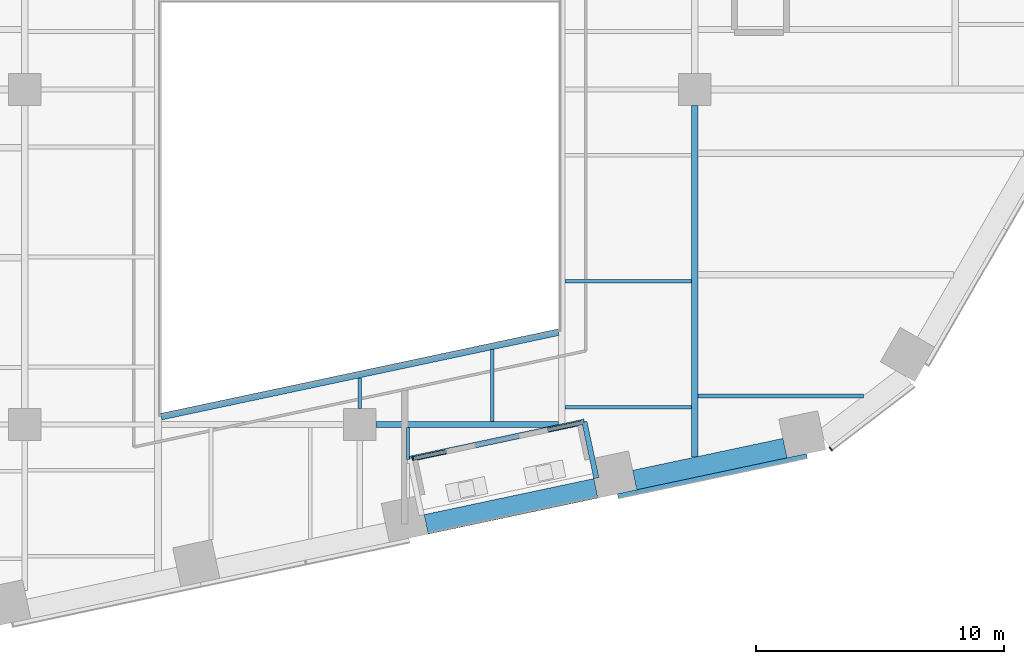
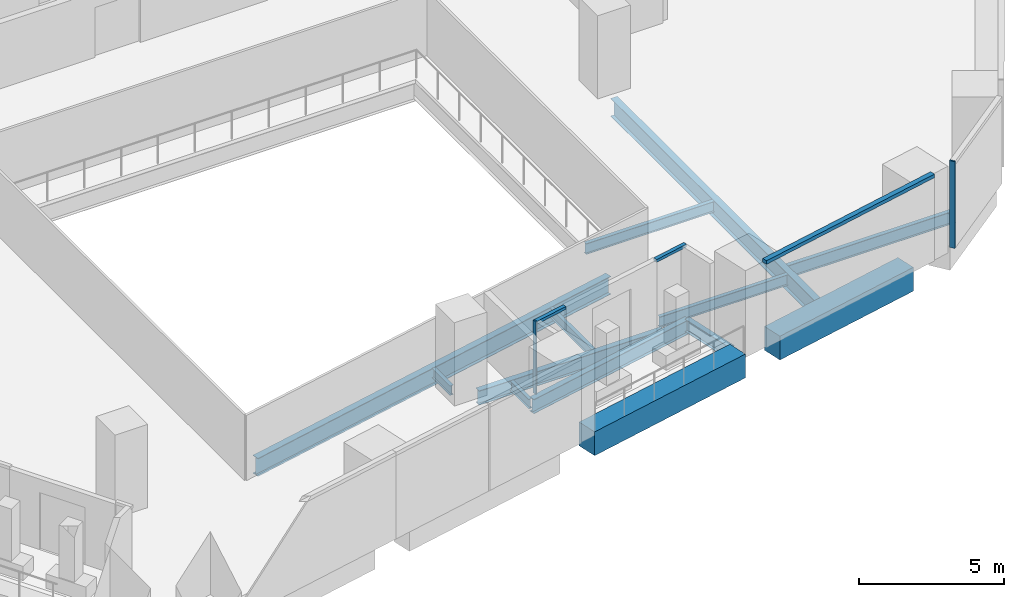
# One storey, part 6 of 28: 13 beams, 5 members, 3 elements without a shape of their own.
"""IFC4 building model written with IfcOpenShell, lengths in metres."""

from ifc_helpers import new_model, si_unit, direction, frame, origin, origin_2d, place, context, subcontext, project, spatial, rectangle, i_section, extrude, material, layer, layer_set, material_profile, profile_set, type_object, element, aggregate, save


model = new_model("IFC4")

# Units and contexts
model_context = context("Model", 3, precision=1e-05, world=origin(), true_north=direction((0.0, 1.0)))
body_context = subcontext(model_context, "Body", "Model", "MODEL_VIEW")
ifc_project = project(units=[si_unit("LENGTHUNIT", "METRE"), si_unit("AREAUNIT", "SQUARE_METRE"), si_unit("VOLUMEUNIT", "CUBIC_METRE"), si_unit("PLANEANGLEUNIT", "RADIAN"), si_unit("MASSUNIT", "GRAM", prefix="KILO")], contexts=[model_context])

# Site, building, storey
site_placement = place(None, origin())
site = spatial("IfcSite", under=ifc_project, at=site_placement, CompositionType="ELEMENT")
building_placement = place(site_placement, origin())
building = spatial("IfcBuilding", under=site, at=building_placement, Name="Isthmus Gate Tower", CompositionType="ELEMENT")
storey_placement = place(building_placement, frame((0.0, 0.0, 98.89990234375)))
storey = spatial("IfcBuildingStorey", under=building, at=storey_placement, Name="L23", CompositionType="ELEMENT", Elevation=98.89990234375)

# Curtain wall, member
ifc_material_1 = material(Name="Aluminium, pale champagne anodised", Category="aluminium")
ifc_layer_1 = layer(ifc_material_1, 0.199951171875)
ifc_layer_set_1 = layer_set([ifc_layer_1], Name="CW-1 UNITISED CURTAIN WALL 200 DEEP")
curtain_wall_type_1 = type_object("IfcCurtainWallType", Name="CW-1 UNITISED CURTAIN WALL 200 DEEP", PredefinedType="NOTDEFINED", material=ifc_layer_set_1)
curtain_wall_1_placement = place(storey_placement, origin())
curtain_wall_1 = element("IfcCurtainWall", 1, at=curtain_wall_1_placement, inside=storey, type_object=curtain_wall_type_1, Name="CW-1 S-SE L23", PredefinedType="NOTDEFINED")
ifc_material_2 = material(Name="Aluminium, pale champagne anodised", Category="aluminium")
ifc_material_profile_1 = material_profile(ifc_material_2, rectangle(XDim=0.06005859375, YDim=0.199951171875, at=origin_2d()), Name="60x200")
ifc_profile_set_1 = profile_set([ifc_material_profile_1], Name="Aluminium, pale champagne anodised")
member_type_1 = type_object("IfcMemberType", Name="CW-1 MULLION 60 X 200", PredefinedType="MULLION", material=ifc_profile_set_1)
member_1_placement = place(storey_placement, frame((18.978759765625, -27.982421875, 0.0), z_axis=(0.0, 0.0, 1.0), x_axis=(0.794188594387, 0.607671355706, 0.0)))
member_1 = element("IfcMember", 2, at=member_1_placement, type_object=member_type_1, Name="CW-1 mullion", PredefinedType="MULLION", context=body_context, shape_type="SweptSolid", body=[
    extrude(rectangle(XDim=0.06005859375, YDim=0.199951171875, at=origin_2d()), origin(), (0.0, 0.0, 1.0), 3.650146484375),
])
aggregate(curtain_wall_1, [member_1])

curtain_wall_2_placement = place(storey_placement, origin())
curtain_wall_2 = element("IfcCurtainWall", 3, at=curtain_wall_2_placement, inside=storey, type_object=curtain_wall_type_1, Name="CW-1 S L23", PredefinedType="NOTDEFINED")
ifc_material_3 = material(Name="Aluminium, pale champagne anodised", Category="aluminium")
ifc_material_profile_2 = material_profile(ifc_material_3, rectangle(XDim=0.199951171875, YDim=0.14990234375, at=origin_2d()), Name="200x150")
ifc_profile_set_2 = profile_set([ifc_material_profile_2], Name="Aluminium, pale champagne anodised")
member_type_2 = type_object("IfcMemberType", Name="CW-1 TRANSOM 200 X 150", PredefinedType="USERDEFINED", material=ifc_profile_set_2)
member_2_placement = place(storey_placement, frame((10.400146484375, -29.8916015625, 3.5751953125), z_axis=(0.978150565745, 0.207897741047, 0.0), x_axis=(-0.207897741047, 0.978150565745, 0.0)))
member_2 = element("IfcMember", 4, at=member_2_placement, type_object=member_type_2, Name="CW-1 transom", ObjectType="TRANSOM", PredefinedType="USERDEFINED", context=body_context, shape_type="SweptSolid", body=[
    extrude(rectangle(XDim=0.199951171875, YDim=0.14990234375, at=origin_2d()), origin(), (0.0, 0.0, 1.0), 7.789306640625),
])
aggregate(curtain_wall_2, [member_2])

# Curtain wall, members
ifc_material_4 = material(Name="Aluminium, pale champagne anodised", Category="aluminium")
ifc_layer_2 = layer(ifc_material_4, 0.14990234375)
ifc_layer_set_2 = layer_set([ifc_layer_2], Name="CW-6 LOGGIA BACK WALL GLAZING 150 DEEP")
curtain_wall_type_2 = type_object("IfcCurtainWallType", Name="CW-6 LOGGIA BACK WALL GLAZING 150 DEEP", PredefinedType="NOTDEFINED", material=ifc_layer_set_2)
curtain_wall_3_placement = place(storey_placement, origin())
curtain_wall_3 = element("IfcCurtainWall", 5, at=curtain_wall_3_placement, inside=storey, type_object=curtain_wall_type_2, Name="CW-6 S L23", PredefinedType="NOTDEFINED")
ifc_material_5 = material(Name="Aluminium, pale champagne anodised", Category="aluminium")
ifc_material_profile_3 = material_profile(ifc_material_5, rectangle(XDim=0.06005859375, YDim=0.14990234375, at=origin_2d()), Name="60x150")
ifc_profile_set_3 = profile_set([ifc_material_profile_3], Name="Aluminium, pale champagne anodised")
member_type_3 = type_object("IfcMemberType", Name="CW-6 MULLION 60 X 150", PredefinedType="MULLION", material=ifc_profile_set_3)
member_3_placement = place(storey_placement, frame((2.14501953125, -28.374755859375, 0.0), z_axis=(0.0, 0.0, 1.0), x_axis=(0.978147600734, 0.207911690818, 0.0)))
member_3 = element("IfcMember", 6, at=member_3_placement, type_object=member_type_3, Name="CW-6 mullion", PredefinedType="MULLION", context=body_context, shape_type="SweptSolid", body=[
    extrude(rectangle(XDim=0.06005859375, YDim=0.14990234375, at=origin_2d()), origin(), (0.0, 0.0, 1.0), 3.050048828125),
])
ifc_material_6 = material(Name="Aluminium, pale champagne anodised", Category="aluminium")
ifc_material_profile_4 = material_profile(ifc_material_6, rectangle(XDim=0.14990234375, YDim=0.1201171875, at=origin_2d()), Name="150x120")
ifc_profile_set_4 = profile_set([ifc_material_profile_4], Name="Aluminium, pale champagne anodised")
member_type_4 = type_object("IfcMemberType", Name="CW-6 TRANSOM 150 X 120", PredefinedType="USERDEFINED", material=ifc_profile_set_4)
member_4_placement = place(storey_placement, frame((2.17431640625, -28.36865234375, 2.989990234375), z_axis=(0.978138393546, 0.207955002517, 0.0), x_axis=(-0.207955002517, 0.978138393546, 0.0)))
member_4 = element("IfcMember", 7, at=member_4_placement, type_object=member_type_4, Name="CW-6 transom", ObjectType="TRANSOM", PredefinedType="USERDEFINED", context=body_context, shape_type="SweptSolid", body=[
    extrude(rectangle(XDim=0.14990234375, YDim=0.1201171875, at=origin_2d()), origin(), (0.0, 0.0, 1.0), 1.3349609375),
])
member_5_placement = place(storey_placement, frame((7.588134765625, -27.2177734375, 2.989990234375), z_axis=(0.978174863877, 0.207783386439, 0.0), x_axis=(-0.207783386439, 0.978174863877, 0.0)))
member_5 = element("IfcMember", 8, at=member_5_placement, type_object=member_type_4, Name="CW-6 transom", ObjectType="TRANSOM", PredefinedType="USERDEFINED", context=body_context, shape_type="SweptSolid", body=[
    extrude(rectangle(XDim=0.14990234375, YDim=0.1201171875, at=origin_2d()), origin(), (0.0, 0.0, 1.0), 1.394775390625),
])
aggregate(curtain_wall_3, [member_3, member_4, member_5])

# Beams
ifc_material_7 = material(Name="Concrete f'c 70 MPa", Category="concrete")
ifc_material_profile_5 = material_profile(ifc_material_7, rectangle(XDim=0.800048828125, YDim=1.0, at=origin_2d()), Name="RC 800X1000")
ifc_profile_set_5 = profile_set([ifc_material_profile_5], Name="Concrete f'c 70 MPa")
beam_type_1 = type_object("IfcBeamType", Name="RC SPANDREL 800 X 1000", PredefinedType="SPANDREL", material=ifc_profile_set_5)
beam_1_placement = place(storey_placement, frame((17.1328125, -27.949462890625, -0.5), z_axis=(-0.978147421176, -0.207912535568, 0.0), x_axis=(0.207912535568, -0.978147421176, 0.0)))
element("IfcBeam", 9, at=beam_1_placement, inside=storey, type_object=beam_type_1, Name="str-spandrel-L23-10", PredefinedType="SPANDREL", context=body_context, shape_type="SweptSolid", body=[
    extrude(rectangle(XDim=0.800048828125, YDim=1.0, at=origin_2d()), origin(), (0.0, 0.0, 1.0), 6.189453125),
])
beam_2_placement = place(storey_placement, frame((9.513671875, -29.56884765625, -0.5), z_axis=(-0.978149173437, -0.207904291694, 0.0), x_axis=(0.207904291694, -0.978149173437, 0.0)))
element("IfcBeam", 10, at=beam_2_placement, inside=storey, type_object=beam_type_1, Name="str-spandrel-L23-11", PredefinedType="SPANDREL", context=body_context, shape_type="SweptSolid", body=[
    extrude(rectangle(XDim=0.800048828125, YDim=1.0, at=origin_2d()), origin(), (0.0, 0.0, 1.0), 6.989501953125),
])
ifc_material_8 = material(Name="Structural steel ASTM A992 Gr 50", Category="steel")
ifc_material_profile_6 = material_profile(ifc_material_8, i_section(OverallWidth=0.1396484375, OverallDepth=0.4033203125, WebThickness=0.00634765625, FlangeThickness=0.010986328125, at=origin_2d()), Name="W16X31")
ifc_profile_set_6 = profile_set([ifc_material_profile_6], Name="Structural steel ASTM A992 Gr 50")
beam_type_2 = type_object("IfcBeamType", Name="STEEL FLOOR BEAM W16X31", PredefinedType="JOIST", material=ifc_profile_set_6)
beam_3_placement = place(storey_placement, frame((1.942626953125, -28.403076171875, -0.3515625), z_axis=(0.0, 1.0, 0.0), x_axis=(-1.0, 0.0, 0.0)))
element("IfcBeam", 11, at=beam_3_placement, inside=storey, type_object=beam_type_2, Name="str-beam-L23-20-01", PredefinedType="JOIST", context=body_context, shape_type="SweptSolid", body=[
    extrude(i_section(OverallWidth=0.1396484375, OverallDepth=0.4033203125, WebThickness=0.00634765625, FlangeThickness=0.010986328125, at=origin_2d()), origin(), (0.0, 0.0, 1.0), 1.288818359375),
])
beam_4_placement = place(storey_placement, frame((0.0, -26.35009765625, -0.3515625), z_axis=(0.0, 1.0, 0.0), x_axis=(-1.0, 0.0, 0.0)))
element("IfcBeam", 12, at=beam_4_placement, inside=storey, type_object=beam_type_2, Name="str-beam-L23-21-00", PredefinedType="JOIST", context=body_context, shape_type="SweptSolid", body=[
    extrude(i_section(OverallWidth=0.1396484375, OverallDepth=0.4033203125, WebThickness=0.00634765625, FlangeThickness=0.010986328125, at=origin_2d()), origin(), (0.0, 0.0, 1.0), 1.23388671875),
])
beam_5_placement = place(storey_placement, frame((5.333251953125, -26.8857421875, -0.3515625), z_axis=(0.0, 1.0, 0.0), x_axis=(-1.0, 0.0, 0.0)))
element("IfcBeam", 13, at=beam_5_placement, inside=storey, type_object=beam_type_2, Name="str-beam-L23-21-01", PredefinedType="JOIST", context=body_context, shape_type="SweptSolid", body=[
    extrude(i_section(OverallWidth=0.1396484375, OverallDepth=0.4033203125, WebThickness=0.00634765625, FlangeThickness=0.010986328125, at=origin_2d()), origin(), (0.0, 0.0, 1.0), 2.903076171875),
])
ifc_material_9 = material(Name="Structural steel ASTM A992 Gr 50", Category="steel")
ifc_material_profile_7 = material_profile(ifc_material_9, i_section(OverallWidth=0.15234375, OverallDepth=0.45068359375, WebThickness=0.0078125, FlangeThickness=0.010986328125, at=origin_2d()), Name="W18X35")
ifc_profile_set_7 = profile_set([ifc_material_profile_7], Name="Structural steel ASTM A992 Gr 50")
beam_type_3 = type_object("IfcBeamType", Name="STEEL FLOOR BEAM W18X35", PredefinedType="JOIST", material=ifc_profile_set_7)
for number, where, z_axis, x_axis, name in (
    (14, (8.263427734375, -26.304931640625, -0.375244140625), (1.0, 0.0, 0.0), (0.0, 1.0, 0.0), "str-beam-L23-28-00"),
    (15, (8.263427734375, -21.224853515625, -0.375244140625), (1.0, 0.0, 0.0), (0.0, 1.0, 0.0), "str-beam-L23-28-01"),
):
    element("IfcBeam", number, at=place(storey_placement, frame(where, z_axis=z_axis, x_axis=x_axis)), inside=storey, type_object=beam_type_3, Name=name, PredefinedType="JOIST", context=body_context, shape_type="SweptSolid", body=[
        extrude(i_section(OverallWidth=0.15234375, OverallDepth=0.45068359375, WebThickness=0.0078125, FlangeThickness=0.010986328125, at=origin_2d()), origin(), (0.0, 0.0, 1.0), 5.103271484375),
    ])
ifc_material_10 = material(Name="Structural steel ASTM A992 Gr 50", Category="steel")
ifc_material_profile_8 = material_profile(ifc_material_10, i_section(OverallWidth=0.1650390625, OverallDepth=0.52392578125, WebThickness=0.009521484375, FlangeThickness=0.010986328125, at=origin_2d()), Name="W21X44")
ifc_profile_set_8 = profile_set([ifc_material_profile_8], Name="Structural steel ASTM A992 Gr 50")
beam_type_4 = type_object("IfcBeamType", Name="STEEL FLOOR BEAM W21X44", PredefinedType="JOIST", material=ifc_profile_set_8)
beam_6_placement = place(storey_placement, frame((13.63330078125, -25.842529296875, -0.411865234375), z_axis=(1.0, 0.0, 0.0), x_axis=(0.0, 1.0, 0.0)))
element("IfcBeam", 16, at=beam_6_placement, inside=storey, type_object=beam_type_4, Name="str-beam-L23-32-00", PredefinedType="JOIST", context=body_context, shape_type="SweptSolid", body=[
    extrude(i_section(OverallWidth=0.1650390625, OverallDepth=0.52392578125, WebThickness=0.009521484375, FlangeThickness=0.010986328125, at=origin_2d()), origin(), (0.0, 0.0, 1.0), 6.661376953125),
])
ifc_material_11 = material(Name="Structural steel ASTM A992 Gr 50", Category="steel")
ifc_material_profile_9 = material_profile(ifc_material_11, i_section(OverallWidth=0.228515625, OverallDepth=0.603271484375, WebThickness=0.010986328125, FlangeThickness=0.014404296875, at=origin_2d()), Name="W24X68")
ifc_profile_set_9 = profile_set([ifc_material_profile_9], Name="Structural steel ASTM A992 Gr 50")
beam_type_5 = type_object("IfcBeamType", Name="STEEL GIRDER W24X68", PredefinedType="BEAM", material=ifc_profile_set_9)
beam_7_placement = place(storey_placement, frame((0.64990234375, -27.0, -0.451416015625), z_axis=(1.0, 0.0, 0.0), x_axis=(0.0, 1.0, 0.0)))
element("IfcBeam", 17, at=beam_7_placement, inside=storey, type_object=beam_type_5, Name="str-girder-L23-04", PredefinedType="BEAM", context=body_context, shape_type="SweptSolid", body=[
    extrude(i_section(OverallWidth=0.228515625, OverallDepth=0.603271484375, WebThickness=0.010986328125, FlangeThickness=0.014404296875, at=origin_2d()), origin(), (0.0, 0.0, 1.0), 7.35009765625),
])
ifc_material_12 = material(Name="Structural steel ASTM A992 Gr 50", Category="steel")
ifc_material_profile_10 = material_profile(ifc_material_12, i_section(OverallWidth=0.2666015625, OverallDepth=0.7587890625, WebThickness=0.014404296875, FlangeThickness=0.01904296875, at=origin_2d()), Name="W30X108")
ifc_profile_set_10 = profile_set([ifc_material_profile_10], Name="Structural steel ASTM A992 Gr 50")
beam_type_6 = type_object("IfcBeamType", Name="STEEL GIRDER W30X108", PredefinedType="BEAM", material=ifc_profile_set_10)
beam_8_placement = place(storey_placement, frame((13.5, -28.3125, -0.529296875), z_axis=(0.0, 1.0, 0.0), x_axis=(-1.0, 0.0, 0.0)))
element("IfcBeam", 18, at=beam_8_placement, inside=storey, type_object=beam_type_6, Name="str-girder-L23-32", PredefinedType="BEAM", context=body_context, shape_type="SweptSolid", body=[
    extrude(i_section(OverallWidth=0.2666015625, OverallDepth=0.7587890625, WebThickness=0.014404296875, FlangeThickness=0.01904296875, at=origin_2d()), origin(), (0.0, 0.0, 1.0), 14.16259765625),
])
ifc_material_13 = material(Name="Structural steel ASTM A992 Gr 50", Category="steel")
ifc_material_profile_11 = material_profile(ifc_material_13, i_section(OverallWidth=0.20947265625, OverallDepth=0.533447265625, WebThickness=0.009521484375, FlangeThickness=0.015869140625, at=origin_2d()), Name="W21X62")
ifc_profile_set_11 = profile_set([ifc_material_profile_11], Name="Structural steel ASTM A992 Gr 50")
beam_type_7 = type_object("IfcBeamType", Name="STEEL TRIMMER W21X62", PredefinedType="BEAM", material=ifc_profile_set_11)
beam_9_placement = place(storey_placement, frame((9.532958984375, -29.15576171875, -0.41650390625), z_axis=(-0.207929410801, 0.978143834067, 0.0), x_axis=(-0.978143834067, -0.207929410801, 0.0)))
element("IfcBeam", 19, at=beam_9_placement, inside=storey, type_object=beam_type_7, Name="str-loggiatrim-L23-04-C", PredefinedType="BEAM", context=body_context, shape_type="SweptSolid", body=[
    extrude(i_section(OverallWidth=0.20947265625, OverallDepth=0.533447265625, WebThickness=0.009521484375, FlangeThickness=0.015869140625, at=origin_2d()), origin(), (0.0, 0.0, 1.0), 2.314208984375),
])
ifc_material_14 = material(Name="Structural steel ASTM A992 Gr 50", Category="steel")
ifc_material_profile_12 = material_profile(ifc_material_14, i_section(OverallWidth=0.228515625, OverallDepth=0.603271484375, WebThickness=0.010986328125, FlangeThickness=0.014404296875, at=origin_2d()), Name="W24X68")
ifc_profile_set_12 = profile_set([ifc_material_profile_12], Name="Structural steel ASTM A992 Gr 50")
beam_type_8 = type_object("IfcBeamType", Name="STEEL TRIMMER W24X68", PredefinedType="BEAM", material=ifc_profile_set_12)
beam_10_placement = place(storey_placement, frame((2.01025390625, -28.388916015625, -0.451416015625), z_axis=(0.97814454078, 0.207926086247, 0.0), x_axis=(-0.207926086247, 0.97814454078, 0.0)))
element("IfcBeam", 20, at=beam_10_placement, inside=storey, type_object=beam_type_8, Name="str-loggiatrim-L23-04-B", PredefinedType="BEAM", context=body_context, shape_type="SweptSolid", body=[
    extrude(i_section(OverallWidth=0.228515625, OverallDepth=0.603271484375, WebThickness=0.010986328125, FlangeThickness=0.014404296875, at=origin_2d()), origin(), (0.0, 0.0, 1.0), 7.19873046875),
])
ifc_material_15 = material(Name="Structural steel ASTM A992 Gr 50", Category="steel")
ifc_material_profile_13 = material_profile(ifc_material_15, i_section(OverallWidth=0.2666015625, OverallDepth=0.7587890625, WebThickness=0.014404296875, FlangeThickness=0.01904296875, at=origin_2d()), Name="W30X108")
ifc_profile_set_13 = profile_set([ifc_material_profile_13], Name="Structural steel ASTM A992 Gr 50")
beam_type_9 = type_object("IfcBeamType", Name="STEEL TRIMMER W30X108", PredefinedType="BEAM", material=ifc_profile_set_13)
beam_11_placement = place(storey_placement, frame((-8.0, -26.680419921875, -0.529296875), z_axis=(0.978147924985, 0.20791016533, 0.0), x_axis=(-0.20791016533, 0.978147924985, 0.0)))
element("IfcBeam", 21, at=beam_11_placement, inside=storey, type_object=beam_type_9, Name="str-trimmer-L23-03", PredefinedType="BEAM", context=body_context, shape_type="SweptSolid", body=[
    extrude(i_section(OverallWidth=0.2666015625, OverallDepth=0.7587890625, WebThickness=0.014404296875, FlangeThickness=0.01904296875, at=origin_2d()), origin(), (0.0, 0.0, 1.0), 16.357421875),
])

save(model, "model.ifc")
